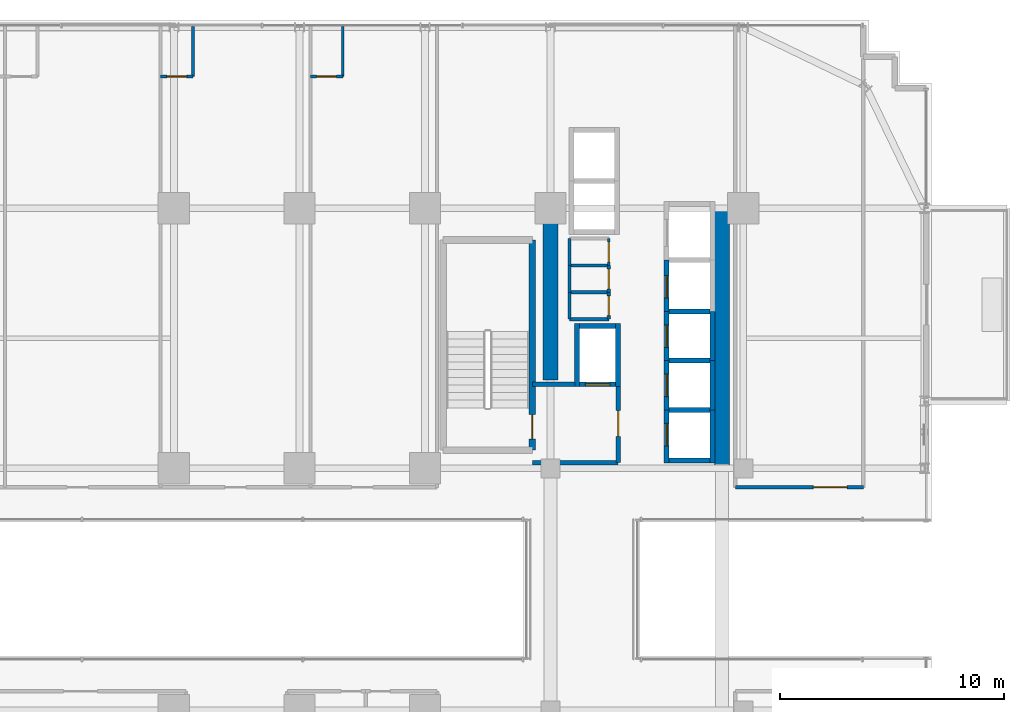
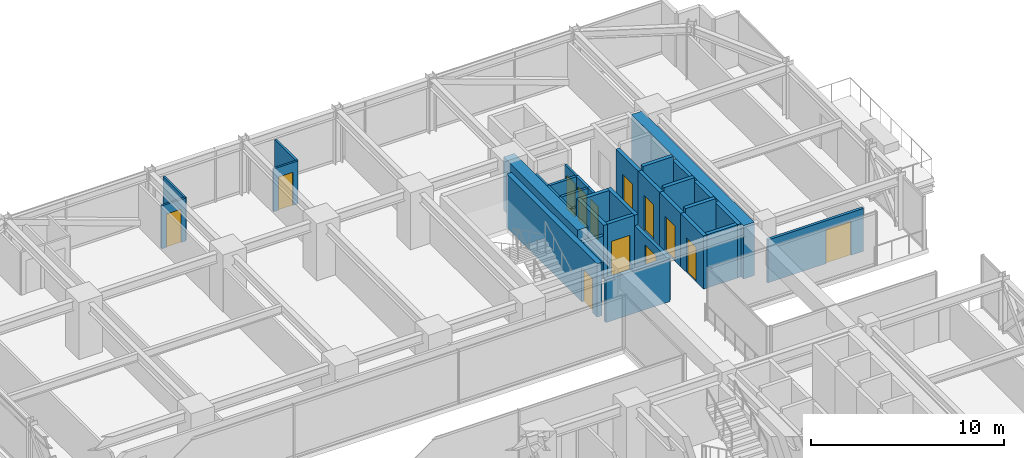
# One storey, part 31 of 35: 35 walls, 13 doors, 13 openings.
"""IFC4 building model written with IfcOpenShell, lengths in metres."""

from ifc_helpers import new_model, si_unit, direction, frame, frame_2d, origin, place, context, subcontext, project, spatial, rectangle, extrude, source, transform, mapped, material, layer, layer_set, type_object, element, fill, save


model = new_model("IFC4")

# Units and contexts
model_context = context("Model", 3, precision=1e-05, world=origin(), true_north=direction((0.0, 1.0)))
body_context = subcontext(model_context, "Body", "Model", "MODEL_VIEW")
ifc_project = project(units=[si_unit("LENGTHUNIT", "METRE"), si_unit("AREAUNIT", "SQUARE_METRE"), si_unit("VOLUMEUNIT", "CUBIC_METRE"), si_unit("PLANEANGLEUNIT", "RADIAN"), si_unit("MASSUNIT", "GRAM", prefix="KILO")], contexts=[model_context])

# Site, building, storey
site_placement = place(None, origin())
site = spatial("IfcSite", under=ifc_project, at=site_placement, CompositionType="ELEMENT")
building_placement = place(site_placement, origin())
building = spatial("IfcBuilding", under=site, at=building_placement, Name="Nahalor Promenade Grand Hotel", CompositionType="ELEMENT")
storey_placement = place(building_placement, frame((0.0, 0.0, 43.35009765625)))
storey = spatial("IfcBuildingStorey", under=building, at=storey_placement, Name="L09", CompositionType="ELEMENT", Elevation=43.35009765625)

# Walls
ifc_material_1 = material(Name="Concrete B-60 (C50/60)", Category="concrete")
ifc_layer_1 = layer(ifc_material_1, 0.64990234375)
ifc_layer_set_1 = layer_set([ifc_layer_1], Name="Concrete B-60 (C50/60)")
wall_type_1 = type_object("IfcWallType", Name="Wall-CoreShear-650", PredefinedType="SHEAR", material=ifc_layer_set_1)
shared_shape_1 = source(origin(), body_context, "Body", "SweptSolid", [
    extrude(rectangle(XDim=7.64990234375, YDim=0.64990234375, at=frame_2d((3.824951171875, 0.0))), origin(), (0.0, 0.0, 1.0), 3.369873046875),
])
wall_1_placement = place(storey_placement, frame((8.39990234375, 9.35009765625, 0.0), z_axis=(0.0, 0.0, 1.0), x_axis=(0.0, 1.0, 0.0)))
element("IfcWall", 1, at=wall_1_placement, inside=storey, type_object=wall_type_1, Name="CWALL-L09-NW", PredefinedType="SHEAR", context=body_context, shape_type="MappedRepresentation", body=[
    mapped(shared_shape_1, transform((0.0, 0.0, 0.0), scale=1.0)),
])
shared_shape_2 = source(origin(), body_context, "Body", "SweptSolid", [
    extrude(rectangle(XDim=11.60009765625, YDim=0.64990234375, at=frame_2d((5.800048828125, 0.0))), origin(), (0.0, 0.0, 1.0), 3.369873046875),
])
wall_2_placement = place(storey_placement, frame((16.050048828125, 5.39990234375, 0.0), z_axis=(0.0, 0.0, 1.0), x_axis=(0.0, 1.0, 0.0)))
element("IfcWall", 2, at=wall_2_placement, inside=storey, type_object=wall_type_1, Name="CWALL-L09-NE", PredefinedType="SHEAR", context=body_context, shape_type="MappedRepresentation", body=[
    mapped(shared_shape_2, transform((0.0, 0.0, 0.0), scale=1.0)),
])

# Wall, opening, door
ifc_material_2 = material(Name="Concrete B-50 (C40/50)", Category="concrete")
ifc_layer_2 = layer(ifc_material_2, 0.300048828125)
ifc_layer_set_2 = layer_set([ifc_layer_2], Name="Concrete B-50 (C40/50)")
wall_type_2 = type_object("IfcWallType", Name="Wall-ShaftShear-300", PredefinedType="SHEAR", material=ifc_layer_set_2)
shared_shape_3 = source(origin(), body_context, "Body", "SweptSolid", [
    extrude(rectangle(XDim=9.380126953125, YDim=0.300048828125, at=frame_2d((4.68994140625, 0.0))), origin(), (0.0, 0.0, 1.0), 3.369873046875),
])
wall_3_placement = place(storey_placement, frame((7.590087890625, 6.2099609375, 0.0), z_axis=(0.0, 0.0, 1.0), x_axis=(0.0, 1.0, 0.0)))
wall_3 = element("IfcWall", 3, at=wall_3_placement, inside=storey, type_object=wall_type_2, Name="L09 Exit Stair ST1 Shaft Wall E", PredefinedType="SHEAR", context=body_context, shape_type="MappedRepresentation", body=[
    mapped(shared_shape_3, transform((0.0, 0.0, 0.0), scale=1.0)),
])
opening_1_placement = place(wall_3_placement, frame((0.489990234375, 0.0, 0.0)))
opening_1 = element("IfcOpeningElement", 4, at=opening_1_placement, cuts=wall_3, Name="Opening D-ST1", PredefinedType="OPENING", context=body_context, shape_type="SweptSolid", body=[
    extrude(rectangle(XDim=1.10009765625, YDim=2.14990234375, at=frame_2d((0.550048828125, 1.074951171875))), frame((0.0, 0.159912109375, 0.0), z_axis=(0.0, -1.0, 0.0), x_axis=(1.0, 0.0, 0.0)), (0.0, 0.0, 1.0), 0.320068359375),
])
ifc_material_3 = material(Name="Steel S355JR", Category="steel")
door_type_1 = type_object("IfcDoorType", Name="Door-StairFire-1100", OperationType="NOTDEFINED", PredefinedType="DOOR", material=ifc_material_3)
shared_shape_4 = source(origin(), body_context, "Body", "SweptSolid", [
    extrude(rectangle(XDim=1.10009765625, YDim=2.14990234375, at=frame_2d((0.550048828125, 1.074951171875))), frame((0.0, 0.02490234375, 0.0), z_axis=(0.0, -1.0, 0.0), x_axis=(1.0, 0.0, 0.0)), (0.0, 0.0, 1.0), 0.050048828125),
])
door_1_placement = place(opening_1_placement, origin())
door_1 = element("IfcDoor", 5, at=door_1_placement, inside=storey, type_object=door_type_1, Name="DR-STAIR-ST1-L09", OperationType="SINGLE_SWING_RIGHT", OverallHeight=2.14990234375, OverallWidth=1.10009765625, PredefinedType="DOOR", context=body_context, shape_type="MappedRepresentation", body=[
    mapped(shared_shape_4, transform((0.0, 0.0, 0.0), scale=1.0)),
])
fill(opening_1, door_1)

ifc_layer_3 = layer(ifc_material_2, 0.219970703125)
ifc_layer_set_3 = layer_set([ifc_layer_3], Name="Concrete B-50 (C40/50)")
wall_type_3 = type_object("IfcWallType", Name="Wall-LiftShaft-220", PredefinedType="SHEAR", material=ifc_layer_set_3)
shared_shape_5 = source(origin(), body_context, "Body", "SweptSolid", [
    extrude(rectangle(XDim=2.360107421875, YDim=0.219970703125, at=frame_2d((1.18017578125, 0.0))), origin(), (0.0, 0.0, 1.0), 3.369873046875),
])
wall_4_placement = place(storey_placement, frame((13.580078125, 5.639892578125, 0.0), z_axis=(0.0, 0.0, 1.0), x_axis=(0.0, 1.0, 0.0)))
wall_4 = element("IfcWall", 6, at=wall_4_placement, inside=storey, type_object=wall_type_3, Name="L09 Lift PL1 Hoistway Wall W", PredefinedType="SHEAR", context=body_context, shape_type="MappedRepresentation", body=[
    mapped(shared_shape_5, transform((0.0, 0.0, 0.0), scale=1.0)),
])
opening_2_placement = place(wall_4_placement, frame((0.760009765625, 0.0, 0.0)))
opening_2 = element("IfcOpeningElement", 7, at=opening_2_placement, cuts=wall_4, Name="Opening LD-01", PredefinedType="OPENING", context=body_context, shape_type="SweptSolid", body=[
    extrude(rectangle(XDim=1.0, YDim=2.199951171875, at=frame_2d((0.5, 1.10009765625))), frame((0.0, 0.119873046875, 0.0), z_axis=(0.0, -1.0, 0.0), x_axis=(1.0, 0.0, 0.0)), (0.0, 0.0, 1.0), 0.239990234375),
])
door_type_2 = type_object("IfcDoorType", Name="Door-LiftLanding-1000", OperationType="DOUBLE_DOOR_SLIDING", PredefinedType="DOOR", material=ifc_material_3)
shared_shape_6 = source(origin(), body_context, "Body", "SweptSolid", [
    extrude(rectangle(XDim=1.0, YDim=2.199951171875, at=frame_2d((0.5, 1.10009765625))), frame((0.0, 0.02490234375, 0.0), z_axis=(0.0, -1.0, 0.0), x_axis=(1.0, 0.0, 0.0)), (0.0, 0.0, 1.0), 0.050048828125),
])
door_2_placement = place(opening_2_placement, origin())
door_2 = element("IfcDoor", 8, at=door_2_placement, inside=storey, type_object=door_type_2, Name="DR-LIFT-PL1-L09", OperationType="DOUBLE_DOOR_SLIDING", OverallHeight=2.199951171875, OverallWidth=1.0, PredefinedType="DOOR", context=body_context, shape_type="MappedRepresentation", body=[
    mapped(shared_shape_6, transform((0.0, 0.0, 0.0), scale=1.0)),
])
fill(opening_2, door_2)

# Walls
wall_5_placement = place(storey_placement, frame((15.6201171875, 5.639892578125, 0.0), z_axis=(0.0, 0.0, 1.0), x_axis=(0.0, 1.0, 0.0)))
element("IfcWall", 9, at=wall_5_placement, inside=storey, type_object=wall_type_3, Name="L09 Lift PL1 Hoistway Wall E", PredefinedType="SHEAR", context=body_context, shape_type="MappedRepresentation", body=[
    mapped(shared_shape_5, transform((0.0, 0.0, 0.0), scale=1.0)),
])
shared_shape_7 = source(origin(), body_context, "Body", "SweptSolid", [
    extrude(rectangle(XDim=1.820068359375, YDim=0.219970703125, at=frame_2d((0.91015625, 0.0))), origin(), (0.0, 0.0, 1.0), 3.369873046875),
])
wall_6_placement = place(storey_placement, frame((13.68994140625, 5.75, 0.0), z_axis=(0.0, 0.0, 1.0), x_axis=(1.0, 0.0, 0.0)))
element("IfcWall", 10, at=wall_6_placement, inside=storey, type_object=wall_type_3, Name="L09 Lift PL1 Hoistway Wall S", PredefinedType="SHEAR", context=body_context, shape_type="MappedRepresentation", body=[
    mapped(shared_shape_7, transform((0.0, 0.0, 0.0), scale=1.0)),
])
shared_shape_8 = source(origin(), body_context, "Body", "SweptSolid", [
    extrude(rectangle(XDim=1.820068359375, YDim=0.219970703125, at=frame_2d((0.91015625, 0.0))), origin(), (0.0, 0.0, 1.0), 3.64990234375),
])
for number, where, z_axis, x_axis, name in (
    (11, (13.68994140625, 8.0, 0.0), (0.0, 0.0, 1.0), (1.0, 0.0, 0.0), "L09 Lift PL1 Hoistway Wall N"),
    (12, (13.68994140625, 10.199951171875, 0.0), (0.0, 0.0, 1.0), (1.0, 0.0, 0.0), "L09 Lift PL2 Hoistway Wall N"),
    (13, (13.68994140625, 12.39990234375, 0.0), (0.0, 0.0, 1.0), (1.0, 0.0, 0.0), "L09 Lift PL3 Hoistway Wall N"),
):
    element("IfcWall", number, at=place(storey_placement, frame(where, z_axis=z_axis, x_axis=x_axis)), inside=storey, type_object=wall_type_3, Name=name, PredefinedType="SHEAR", context=body_context, shape_type="MappedRepresentation", body=[
        mapped(shared_shape_8, transform((0.0, 0.0, 0.0), scale=1.0)),
    ])

# Wall, opening, door
shared_shape_9 = source(origin(), body_context, "Body", "SweptSolid", [
    extrude(rectangle(XDim=2.199951171875, YDim=0.219970703125, at=frame_2d((1.10009765625, 0.0))), origin(), (0.0, 0.0, 1.0), 3.369873046875),
])
wall_7_placement = place(storey_placement, frame((13.580078125, 8.0, 0.0), z_axis=(0.0, 0.0, 1.0), x_axis=(0.0, 1.0, 0.0)))
wall_7 = element("IfcWall", 14, at=wall_7_placement, inside=storey, type_object=wall_type_3, Name="L09 Lift PL2 Hoistway Wall W", PredefinedType="SHEAR", context=body_context, shape_type="MappedRepresentation", body=[
    mapped(shared_shape_9, transform((0.0, 0.0, 0.0), scale=1.0)),
])
opening_3_placement = place(wall_7_placement, frame((0.60009765625, 0.0, 0.0)))
opening_3 = element("IfcOpeningElement", 15, at=opening_3_placement, cuts=wall_7, Name="Opening LD-01", PredefinedType="OPENING", context=body_context, shape_type="SweptSolid", body=[
    extrude(rectangle(XDim=1.0, YDim=2.199951171875, at=frame_2d((0.5, 1.10009765625))), frame((0.0, 0.119873046875, 0.0), z_axis=(0.0, -1.0, 0.0), x_axis=(1.0, 0.0, 0.0)), (0.0, 0.0, 1.0), 0.239990234375),
])
door_3_placement = place(opening_3_placement, origin())
door_3 = element("IfcDoor", 16, at=door_3_placement, inside=storey, type_object=door_type_2, Name="DR-LIFT-PL2-L09", OperationType="DOUBLE_DOOR_SLIDING", OverallHeight=2.199951171875, OverallWidth=1.0, PredefinedType="DOOR", context=body_context, shape_type="MappedRepresentation", body=[
    mapped(shared_shape_6, transform((0.0, 0.0, 0.0), scale=1.0)),
])
fill(opening_3, door_3)

# Wall
wall_8_placement = place(storey_placement, frame((15.6201171875, 8.0, 0.0), z_axis=(0.0, 0.0, 1.0), x_axis=(0.0, 1.0, 0.0)))
element("IfcWall", 17, at=wall_8_placement, inside=storey, type_object=wall_type_3, Name="L09 Lift PL2 Hoistway Wall E", PredefinedType="SHEAR", context=body_context, shape_type="MappedRepresentation", body=[
    mapped(shared_shape_9, transform((0.0, 0.0, 0.0), scale=1.0)),
])

# Wall, opening, door
wall_9_placement = place(storey_placement, frame((13.580078125, 10.199951171875, 0.0), z_axis=(0.0, 0.0, 1.0), x_axis=(0.0, 1.0, 0.0)))
wall_9 = element("IfcWall", 18, at=wall_9_placement, inside=storey, type_object=wall_type_3, Name="L09 Lift PL3 Hoistway Wall W", PredefinedType="SHEAR", context=body_context, shape_type="MappedRepresentation", body=[
    mapped(shared_shape_9, transform((0.0, 0.0, 0.0), scale=1.0)),
])
opening_4_placement = place(wall_9_placement, frame((0.60009765625, 0.0, 0.0)))
opening_4 = element("IfcOpeningElement", 19, at=opening_4_placement, cuts=wall_9, Name="Opening LD-01", PredefinedType="OPENING", context=body_context, shape_type="SweptSolid", body=[
    extrude(rectangle(XDim=1.0, YDim=2.199951171875, at=frame_2d((0.5, 1.10009765625))), frame((0.0, 0.119873046875, 0.0), z_axis=(0.0, -1.0, 0.0), x_axis=(1.0, 0.0, 0.0)), (0.0, 0.0, 1.0), 0.239990234375),
])
door_4_placement = place(opening_4_placement, origin())
door_4 = element("IfcDoor", 20, at=door_4_placement, inside=storey, type_object=door_type_2, Name="DR-LIFT-PL3-L09", OperationType="DOUBLE_DOOR_SLIDING", OverallHeight=2.199951171875, OverallWidth=1.0, PredefinedType="DOOR", context=body_context, shape_type="MappedRepresentation", body=[
    mapped(shared_shape_6, transform((0.0, 0.0, 0.0), scale=1.0)),
])
fill(opening_4, door_4)

# Wall
wall_10_placement = place(storey_placement, frame((15.6201171875, 10.199951171875, 0.0), z_axis=(0.0, 0.0, 1.0), x_axis=(0.0, 1.0, 0.0)))
element("IfcWall", 21, at=wall_10_placement, inside=storey, type_object=wall_type_3, Name="L09 Lift PL3 Hoistway Wall E", PredefinedType="SHEAR", context=body_context, shape_type="MappedRepresentation", body=[
    mapped(shared_shape_9, transform((0.0, 0.0, 0.0), scale=1.0)),
])

# Wall, opening, door
shared_shape_10 = source(origin(), body_context, "Body", "SweptSolid", [
    extrude(rectangle(XDim=2.300048828125, YDim=0.219970703125, at=frame_2d((1.14990234375, 0.0))), origin(), (0.0, 0.0, 1.0), 3.369873046875),
])
wall_11_placement = place(storey_placement, frame((13.580078125, 12.39990234375, 0.0), z_axis=(0.0, 0.0, 1.0), x_axis=(0.0, 1.0, 0.0)))
wall_11 = element("IfcWall", 22, at=wall_11_placement, inside=storey, type_object=wall_type_3, Name="L09 Lift PL4 Hoistway Wall W", PredefinedType="SHEAR", context=body_context, shape_type="MappedRepresentation", body=[
    mapped(shared_shape_10, transform((0.0, 0.0, 0.0), scale=1.0)),
])
opening_5_placement = place(wall_11_placement, frame((0.60009765625, 0.0, 0.0)))
opening_5 = element("IfcOpeningElement", 23, at=opening_5_placement, cuts=wall_11, Name="Opening LD-01", PredefinedType="OPENING", context=body_context, shape_type="SweptSolid", body=[
    extrude(rectangle(XDim=1.0, YDim=2.199951171875, at=frame_2d((0.5, 1.10009765625))), frame((0.0, 0.119873046875, 0.0), z_axis=(0.0, -1.0, 0.0), x_axis=(1.0, 0.0, 0.0)), (0.0, 0.0, 1.0), 0.239990234375),
])
door_5_placement = place(opening_5_placement, origin())
door_5 = element("IfcDoor", 24, at=door_5_placement, inside=storey, type_object=door_type_2, Name="DR-LIFT-PL4-L09", OperationType="DOUBLE_DOOR_SLIDING", OverallHeight=2.199951171875, OverallWidth=1.0, PredefinedType="DOOR", context=body_context, shape_type="MappedRepresentation", body=[
    mapped(shared_shape_6, transform((0.0, 0.0, 0.0), scale=1.0)),
])
fill(opening_5, door_5)

# Walls
shared_shape_11 = source(origin(), body_context, "Body", "SweptSolid", [
    extrude(rectangle(XDim=2.820068359375, YDim=0.219970703125, at=frame_2d((1.41015625, 0.0))), origin(), (0.0, 0.0, 1.0), 3.369873046875),
])
for number, where, z_axis, x_axis, name in (
    (25, (9.580078125, 9.0400390625, 0.0), (0.0, 0.0, 1.0), (0.0, 1.0, 0.0), "L09 Lift FL1 Hoistway Wall W"),
    (26, (11.419921875, 9.0400390625, 0.0), (0.0, 0.0, 1.0), (0.0, 1.0, 0.0), "L09 Lift FL1 Hoistway Wall E"),
):
    element("IfcWall", number, at=place(storey_placement, frame(where, z_axis=z_axis, x_axis=x_axis)), inside=storey, type_object=wall_type_3, Name=name, PredefinedType="SHEAR", context=body_context, shape_type="MappedRepresentation", body=[
        mapped(shared_shape_11, transform((0.0, 0.0, 0.0), scale=1.0)),
    ])

# Wall, opening, door
shared_shape_12 = source(origin(), body_context, "Body", "SweptSolid", [
    extrude(rectangle(XDim=1.6201171875, YDim=0.219970703125, at=frame_2d((0.81005859375, 0.0))), origin(), (0.0, 0.0, 1.0), 3.369873046875),
])
wall_12_placement = place(storey_placement, frame((9.68994140625, 9.14990234375, 0.0), z_axis=(0.0, 0.0, 1.0), x_axis=(1.0, 0.0, 0.0)))
wall_12 = element("IfcWall", 27, at=wall_12_placement, inside=storey, type_object=wall_type_3, Name="L09 Lift FL1 Hoistway Wall S", PredefinedType="SHEAR", context=body_context, shape_type="MappedRepresentation", body=[
    mapped(shared_shape_12, transform((0.0, 0.0, 0.0), scale=1.0)),
])
opening_6_placement = place(wall_12_placement, frame((0.260009765625, 0.0, 0.0)))
opening_6 = element("IfcOpeningElement", 28, at=opening_6_placement, cuts=wall_12, Name="Opening LD-02", PredefinedType="OPENING", context=body_context, shape_type="SweptSolid", body=[
    extrude(rectangle(XDim=1.10009765625, YDim=2.199951171875, at=frame_2d((0.550048828125, 1.10009765625))), frame((0.0, 0.119873046875, 0.0), z_axis=(0.0, -1.0, 0.0), x_axis=(1.0, 0.0, 0.0)), (0.0, 0.0, 1.0), 0.239990234375),
])
door_type_3 = type_object("IfcDoorType", Name="Door-LiftFF-1100", OperationType="DOUBLE_DOOR_SLIDING", PredefinedType="DOOR", material=ifc_material_3)
shared_shape_13 = source(origin(), body_context, "Body", "SweptSolid", [
    extrude(rectangle(XDim=1.10009765625, YDim=2.199951171875, at=frame_2d((0.550048828125, 1.10009765625))), frame((0.0, 0.02490234375, 0.0), z_axis=(0.0, -1.0, 0.0), x_axis=(1.0, 0.0, 0.0)), (0.0, 0.0, 1.0), 0.050048828125),
])
door_6_placement = place(opening_6_placement, frame((1.10009765625, 0.0, 0.0), z_axis=(0.0, 0.0, 1.0), x_axis=(-1.0, 0.0, 0.0)))
door_6 = element("IfcDoor", 29, at=door_6_placement, inside=storey, type_object=door_type_3, Name="DR-LIFT-FL1-L09", OperationType="DOUBLE_DOOR_SLIDING", OverallHeight=2.199951171875, OverallWidth=1.10009765625, PredefinedType="DOOR", context=body_context, shape_type="MappedRepresentation", body=[
    mapped(shared_shape_13, transform((0.0, 0.0, 0.0), scale=1.0)),
])
fill(opening_6, door_6)

# Walls
wall_13_placement = place(storey_placement, frame((9.68994140625, 11.75, 0.0), z_axis=(0.0, 0.0, 1.0), x_axis=(1.0, 0.0, 0.0)))
element("IfcWall", 30, at=wall_13_placement, inside=storey, type_object=wall_type_3, Name="L09 Lift FL1 Hoistway Wall N", PredefinedType="SHEAR", context=body_context, shape_type="MappedRepresentation", body=[
    mapped(shared_shape_12, transform((0.0, 0.0, 0.0), scale=1.0)),
])
ifc_material_4 = material(Name="Concrete B-40 (C32/40)", Category="concrete")
ifc_layer_4 = layer(ifc_material_4, 0.199951171875)
ifc_layer_set_4 = layer_set([ifc_layer_4], Name="Concrete B-40 (C32/40)")
wall_type_4 = type_object("IfcWallType", Name="Wall-PartFire-200", PredefinedType="PARTITIONING", material=ifc_layer_set_4)
shared_shape_14 = source(origin(), body_context, "Body", "SweptSolid", [
    extrude(rectangle(XDim=3.81982421875, YDim=0.199951171875, at=frame_2d((1.909912109375, 0.0))), origin(), (0.0, 0.0, 1.0), 2.7099609375),
])
wall_14_placement = place(storey_placement, frame((7.60009765625, 5.64990234375, 0.0), z_axis=(0.0, 0.0, 1.0), x_axis=(1.0, 0.0, 0.0)))
element("IfcWall", 31, at=wall_14_placement, inside=storey, type_object=wall_type_4, Name="W-L09-FF1-S", PredefinedType="PARTITIONING", context=body_context, shape_type="MappedRepresentation", body=[
    mapped(shared_shape_14, transform((0.0, 0.0, 0.0), scale=1.0)),
])
shared_shape_15 = source(origin(), body_context, "Body", "SweptSolid", [
    extrude(rectangle(XDim=1.89990234375, YDim=0.199951171875, at=frame_2d((0.949951171875, 0.0))), origin(), (0.0, 0.0, 1.0), 2.7099609375),
])
wall_15_placement = place(storey_placement, frame((7.60009765625, 9.14990234375, 0.0), z_axis=(0.0, 0.0, 1.0), x_axis=(1.0, 0.0, 0.0)))
element("IfcWall", 32, at=wall_15_placement, inside=storey, type_object=wall_type_4, Name="W-L09-FF1-N", PredefinedType="PARTITIONING", context=body_context, shape_type="MappedRepresentation", body=[
    mapped(shared_shape_15, transform((0.0, 0.0, 0.0), scale=1.0)),
])

# Wall, opening, door
shared_shape_16 = source(origin(), body_context, "Body", "SweptSolid", [
    extrude(rectangle(XDim=3.5, YDim=0.199951171875, at=frame_2d((1.75, 0.0))), origin(), (0.0, 0.0, 1.0), 2.7099609375),
])
wall_16_placement = place(storey_placement, frame((11.419921875, 5.64990234375, 0.0), z_axis=(0.0, 0.0, 1.0), x_axis=(0.0, 1.0, 0.0)))
wall_16 = element("IfcWall", 33, at=wall_16_placement, inside=storey, type_object=wall_type_4, Name="W-L09-FF1-E", PredefinedType="PARTITIONING", context=body_context, shape_type="MappedRepresentation", body=[
    mapped(shared_shape_16, transform((0.0, 0.0, 0.0), scale=1.0)),
])
opening_7_placement = place(wall_16_placement, frame((1.175048828125, 0.0, 0.0)))
opening_7 = element("IfcOpeningElement", 34, at=opening_7_placement, cuts=wall_16, Name="Opening D-FF1", PredefinedType="OPENING", context=body_context, shape_type="SweptSolid", body=[
    extrude(rectangle(XDim=1.14990234375, YDim=2.14990234375, at=frame_2d((0.574951171875, 1.074951171875))), frame((0.0, 0.10986328125, 0.0), z_axis=(0.0, -1.0, 0.0), x_axis=(1.0, 0.0, 0.0)), (0.0, 0.0, 1.0), 0.219970703125),
])
door_type_4 = type_object("IfcDoorType", Name="Door-FFLobby-1150", OperationType="NOTDEFINED", PredefinedType="DOOR", material=ifc_material_3)
shared_shape_17 = source(origin(), body_context, "Body", "SweptSolid", [
    extrude(rectangle(XDim=1.14990234375, YDim=2.14990234375, at=frame_2d((0.574951171875, 1.074951171875))), frame((0.0, 0.02490234375, 0.0), z_axis=(0.0, -1.0, 0.0), x_axis=(1.0, 0.0, 0.0)), (0.0, 0.0, 1.0), 0.050048828125),
])
door_7_placement = place(opening_7_placement, frame((1.14990234375, 0.0, 0.0), z_axis=(0.0, 0.0, 1.0), x_axis=(-1.0, 0.0, 0.0)))
door_7 = element("IfcDoor", 35, at=door_7_placement, inside=storey, type_object=door_type_4, Name="DR-L09-FFL1", OperationType="SINGLE_SWING_RIGHT", OverallHeight=2.14990234375, OverallWidth=1.14990234375, PredefinedType="DOOR", context=body_context, shape_type="MappedRepresentation", body=[
    mapped(shared_shape_17, transform((0.0, 0.0, 0.0), scale=1.0)),
])
fill(opening_7, door_7)

# Walls
ifc_material_5 = material(Name="Acoustic Mineral Gypsum", Category="gypsum")
ifc_layer_5 = layer(ifc_material_5, 0.14990234375)
ifc_layer_set_5 = layer_set([ifc_layer_5], Name="Acoustic Mineral Gypsum")
wall_type_5 = type_object("IfcWallType", Name="Wall-PartService-150", PredefinedType="PARTITIONING", material=ifc_layer_set_5)
shared_shape_18 = source(origin(), body_context, "Body", "SweptSolid", [
    extrude(rectangle(XDim=1.75, YDim=0.14990234375, at=frame_2d((0.875, 0.0))), origin(), (0.0, 0.0, 1.0), 2.7099609375),
])
for number, where, z_axis, x_axis, name in (
    (36, (9.25, 12.050048828125, 0.0), (0.0, 0.0, 1.0), (1.0, 0.0, 0.0), "W-L09-CK3A-S"),
    (37, (9.25, 13.25, 0.0), (0.0, 0.0, 1.0), (1.0, 0.0, 0.0), "W-L09-CK3A-N"),
    (38, (9.25, 14.449951171875, 0.0), (0.0, 0.0, 1.0), (1.0, 0.0, 0.0), "W-L09-CK3B-N"),
):
    element("IfcWall", number, at=place(storey_placement, frame(where, z_axis=z_axis, x_axis=x_axis)), inside=storey, type_object=wall_type_5, Name=name, PredefinedType="PARTITIONING", context=body_context, shape_type="MappedRepresentation", body=[
        mapped(shared_shape_18, transform((0.0, 0.0, 0.0), scale=1.0)),
    ])

# Wall, opening, door
ifc_layer_6 = layer(ifc_material_5, 0.159912109375)
ifc_layer_set_6 = layer_set([ifc_layer_6], Name="Acoustic Mineral Gypsum")
wall_type_6 = type_object("IfcWallType", Name="Wall-PartCorridor-160", PredefinedType="PARTITIONING", material=ifc_layer_set_6)
shared_shape_19 = source(origin(), body_context, "Body", "SweptSolid", [
    extrude(rectangle(XDim=5.710205078125, YDim=0.159912109375, at=frame_2d((2.85498046875, 0.0))), origin(), (0.0, 0.0, 1.0), 2.7099609375),
])
wall_17_placement = place(storey_placement, frame((16.64990234375, 4.550048828125, 0.0), z_axis=(0.0, 0.0, 1.0), x_axis=(1.0, 0.0, 0.0)))
wall_17 = element("IfcWall", 39, at=wall_17_placement, inside=storey, type_object=wall_type_6, Name="W-L09-ENE-S", PredefinedType="PARTITIONING", context=body_context, shape_type="MappedRepresentation", body=[
    mapped(shared_shape_19, transform((0.0, 0.0, 0.0), scale=1.0)),
])
opening_8_placement = place(wall_17_placement, frame((3.47900390625, 0.0, 0.0)))
opening_8 = element("IfcOpeningElement", 40, at=opening_8_placement, cuts=wall_17, Name="Opening D-02", PredefinedType="OPENING", context=body_context, shape_type="SweptSolid", body=[
    extrude(rectangle(XDim=1.5, YDim=2.14990234375, at=frame_2d((0.75, 1.074951171875))), frame((0.0, 0.08984375, 0.0), z_axis=(0.0, -1.0, 0.0), x_axis=(1.0, 0.0, 0.0)), (0.0, 0.0, 1.0), 0.179931640625),
])
ifc_material_6 = material(Name="Fire-Rated Timber Composite", Category="wood")
door_type_5 = type_object("IfcDoorType", Name="Door-SuiteDouble-1500", OperationType="DOUBLE_DOOR_SINGLE_SWING", PredefinedType="DOOR", material=ifc_material_6)
shared_shape_20 = source(origin(), body_context, "Body", "SweptSolid", [
    extrude(rectangle(XDim=1.5, YDim=2.14990234375, at=frame_2d((0.75, 1.074951171875))), frame((0.0, 0.02490234375, 0.0), z_axis=(0.0, -1.0, 0.0), x_axis=(1.0, 0.0, 0.0)), (0.0, 0.0, 1.0), 0.050048828125),
])
door_8_placement = place(opening_8_placement, origin())
door_8 = element("IfcDoor", 41, at=door_8_placement, inside=storey, type_object=door_type_5, Name="DR-L09-ENE", OperationType="DOUBLE_DOOR_SINGLE_SWING", OverallHeight=2.14990234375, OverallWidth=1.5, PredefinedType="DOOR", context=body_context, shape_type="MappedRepresentation", body=[
    mapped(shared_shape_20, transform((0.0, 0.0, 0.0), scale=1.0)),
])
fill(opening_8, door_8)

ifc_layer_7 = layer(ifc_material_5, 0.1201171875)
ifc_layer_set_7 = layer_set([ifc_layer_7], Name="Acoustic Mineral Gypsum")
wall_type_7 = type_object("IfcWallType", Name="Wall-PartBath-120", PredefinedType="PARTITIONING", material=ifc_layer_set_7)
shared_shape_21 = source(origin(), body_context, "Body", "SweptSolid", [
    extrude(rectangle(XDim=1.4501953125, YDim=0.1201171875, at=frame_2d((0.72509765625, 0.0))), origin(), (0.0, 0.0, 1.0), 2.7099609375),
])
wall_18_placement = place(storey_placement, frame((-8.99609375, 22.8798828125, 0.0), z_axis=(0.0, 0.0, 1.0), x_axis=(1.0, 0.0, 0.0)))
wall_18 = element("IfcWall", 42, at=wall_18_placement, inside=storey, type_object=wall_type_7, Name="W-L09-N3-BH", PredefinedType="PARTITIONING", context=body_context, shape_type="MappedRepresentation", body=[
    mapped(shared_shape_21, transform((0.0, 0.0, 0.0), scale=1.0)),
])
opening_9_placement = place(wall_18_placement, frame((0.284912109375, 0.0, 0.0)))
opening_9 = element("IfcOpeningElement", 43, at=opening_9_placement, cuts=wall_18, Name="Opening D-03", PredefinedType="OPENING", context=body_context, shape_type="SweptSolid", body=[
    extrude(rectangle(XDim=0.8798828125, YDim=2.10009765625, at=frame_2d((0.43994140625, 1.050048828125))), frame((0.0, 0.070068359375, 0.0), z_axis=(0.0, -1.0, 0.0), x_axis=(1.0, 0.0, 0.0)), (0.0, 0.0, 1.0), 0.14013671875),
])
door_type_6 = type_object("IfcDoorType", Name="Door-BathSwing-880", OperationType="NOTDEFINED", PredefinedType="DOOR", material=ifc_material_6)
shared_shape_22 = source(origin(), body_context, "Body", "SweptSolid", [
    extrude(rectangle(XDim=0.8798828125, YDim=2.10009765625, at=frame_2d((0.43994140625, 1.050048828125))), frame((0.0, 0.02490234375, 0.0), z_axis=(0.0, -1.0, 0.0), x_axis=(1.0, 0.0, 0.0)), (0.0, 0.0, 1.0), 0.050048828125),
])
door_9_placement = place(opening_9_placement, origin())
door_9 = element("IfcDoor", 44, at=door_9_placement, inside=storey, type_object=door_type_6, Name="DR-L09-N3-BATH", OperationType="SINGLE_SWING_LEFT", OverallHeight=2.10009765625, OverallWidth=0.8798828125, PredefinedType="DOOR", context=body_context, shape_type="MappedRepresentation", body=[
    mapped(shared_shape_22, transform((0.0, 0.0, 0.0), scale=1.0)),
])
fill(opening_9, door_9)

# Walls
shared_shape_23 = source(origin(), body_context, "Body", "SweptSolid", [
    extrude(rectangle(XDim=2.22021484375, YDim=0.1201171875, at=frame_2d((1.110107421875, 0.0))), origin(), (0.0, 0.0, 1.0), 2.7099609375),
])
for number, where, z_axis, x_axis, name in (
    (45, (-7.5458984375, 22.8798828125, 0.0), (0.0, 0.0, 1.0), (0.0, 1.0, 0.0), "W-L09-N3-BV"),
    (46, (-0.864013671875, 22.8798828125, 0.0), (0.0, 0.0, 1.0), (0.0, 1.0, 0.0), "W-L09-N4-BV"),
):
    element("IfcWall", number, at=place(storey_placement, frame(where, z_axis=z_axis, x_axis=x_axis)), inside=storey, type_object=wall_type_7, Name=name, PredefinedType="PARTITIONING", context=body_context, shape_type="MappedRepresentation", body=[
        mapped(shared_shape_23, transform((0.0, 0.0, 0.0), scale=1.0)),
    ])

# Wall, opening, door
shared_shape_24 = source(origin(), body_context, "Body", "SweptSolid", [
    extrude(rectangle(XDim=1.449951171875, YDim=0.1201171875, at=frame_2d((0.72509765625, 0.0))), origin(), (0.0, 0.0, 1.0), 2.7099609375),
])
wall_19_placement = place(storey_placement, frame((-2.31396484375, 22.8798828125, 0.0), z_axis=(0.0, 0.0, 1.0), x_axis=(1.0, 0.0, 0.0)))
wall_19 = element("IfcWall", 47, at=wall_19_placement, inside=storey, type_object=wall_type_7, Name="W-L09-N4-BH", PredefinedType="PARTITIONING", context=body_context, shape_type="MappedRepresentation", body=[
    mapped(shared_shape_24, transform((0.0, 0.0, 0.0), scale=1.0)),
])
opening_10_placement = place(wall_19_placement, frame((0.284912109375, 0.0, 0.0)))
opening_10 = element("IfcOpeningElement", 48, at=opening_10_placement, cuts=wall_19, Name="Opening D-03", PredefinedType="OPENING", context=body_context, shape_type="SweptSolid", body=[
    extrude(rectangle(XDim=0.8798828125, YDim=2.10009765625, at=frame_2d((0.43994140625, 1.050048828125))), frame((0.0, 0.070068359375, 0.0), z_axis=(0.0, -1.0, 0.0), x_axis=(1.0, 0.0, 0.0)), (0.0, 0.0, 1.0), 0.14013671875),
])
door_10_placement = place(opening_10_placement, origin())
door_10 = element("IfcDoor", 49, at=door_10_placement, inside=storey, type_object=door_type_6, Name="DR-L09-N4-BATH", OperationType="SINGLE_SWING_LEFT", OverallHeight=2.10009765625, OverallWidth=0.8798828125, PredefinedType="DOOR", context=body_context, shape_type="MappedRepresentation", body=[
    mapped(shared_shape_22, transform((0.0, 0.0, 0.0), scale=1.0)),
])
fill(opening_10, door_10)

# Wall
shared_shape_25 = source(origin(), body_context, "Body", "SweptSolid", [
    extrude(rectangle(XDim=1.199951171875, YDim=0.14990234375, at=frame_2d((0.60009765625, 0.0))), origin(), (0.0, 0.0, 1.0), 2.7099609375),
])
wall_20_placement = place(storey_placement, frame((9.25, 12.050048828125, 0.0), z_axis=(0.0, 0.0, 1.0), x_axis=(0.0, 1.0, 0.0)))
element("IfcWall", 50, at=wall_20_placement, inside=storey, type_object=wall_type_5, Name="W-L09-CK3A-W", PredefinedType="PARTITIONING", context=body_context, shape_type="MappedRepresentation", body=[
    mapped(shared_shape_25, transform((0.0, 0.0, 0.0), scale=1.0)),
])

# Wall, opening, door
wall_21_placement = place(storey_placement, frame((11.0, 12.050048828125, 0.0), z_axis=(0.0, 0.0, 1.0), x_axis=(0.0, 1.0, 0.0)))
wall_21 = element("IfcWall", 51, at=wall_21_placement, inside=storey, type_object=wall_type_5, Name="W-L09-CK3A-E", PredefinedType="PARTITIONING", context=body_context, shape_type="MappedRepresentation", body=[
    mapped(shared_shape_25, transform((0.0, 0.0, 0.0), scale=1.0)),
])
opening_11_placement = place(wall_21_placement, frame((0.159912109375, 0.0, 0.0)))
opening_11 = element("IfcOpeningElement", 52, at=opening_11_placement, cuts=wall_21, Name="Opening D-03", PredefinedType="OPENING", context=body_context, shape_type="SweptSolid", body=[
    extrude(rectangle(XDim=0.8798828125, YDim=2.10009765625, at=frame_2d((0.43994140625, 1.050048828125))), frame((0.0, 0.0849609375, 0.0), z_axis=(0.0, -1.0, 0.0), x_axis=(1.0, 0.0, 0.0)), (0.0, 0.0, 1.0), 0.169921875),
])
door_11_placement = place(opening_11_placement, origin())
door_11 = element("IfcDoor", 53, at=door_11_placement, inside=storey, type_object=door_type_6, Name="DR-L09-CK3A", OperationType="SINGLE_SWING_RIGHT", OverallHeight=2.10009765625, OverallWidth=0.8798828125, PredefinedType="DOOR", context=body_context, shape_type="MappedRepresentation", body=[
    mapped(shared_shape_22, transform((0.0, 0.0, 0.0), scale=1.0)),
])
fill(opening_11, door_11)

# Wall
wall_22_placement = place(storey_placement, frame((9.25, 13.25, 0.0), z_axis=(0.0, 0.0, 1.0), x_axis=(0.0, 1.0, 0.0)))
element("IfcWall", 54, at=wall_22_placement, inside=storey, type_object=wall_type_5, Name="W-L09-CK3B-W", PredefinedType="PARTITIONING", context=body_context, shape_type="MappedRepresentation", body=[
    mapped(shared_shape_25, transform((0.0, 0.0, 0.0), scale=1.0)),
])

# Wall, opening, door
wall_23_placement = place(storey_placement, frame((11.0, 13.25, 0.0), z_axis=(0.0, 0.0, 1.0), x_axis=(0.0, 1.0, 0.0)))
wall_23 = element("IfcWall", 55, at=wall_23_placement, inside=storey, type_object=wall_type_5, Name="W-L09-CK3B-E", PredefinedType="PARTITIONING", context=body_context, shape_type="MappedRepresentation", body=[
    mapped(shared_shape_25, transform((0.0, 0.0, 0.0), scale=1.0)),
])
opening_12_placement = place(wall_23_placement, frame((0.159912109375, 0.0, 0.0)))
opening_12 = element("IfcOpeningElement", 56, at=opening_12_placement, cuts=wall_23, Name="Opening D-03", PredefinedType="OPENING", context=body_context, shape_type="SweptSolid", body=[
    extrude(rectangle(XDim=0.8798828125, YDim=2.10009765625, at=frame_2d((0.43994140625, 1.050048828125))), frame((0.0, 0.0849609375, 0.0), z_axis=(0.0, -1.0, 0.0), x_axis=(1.0, 0.0, 0.0)), (0.0, 0.0, 1.0), 0.169921875),
])
door_12_placement = place(opening_12_placement, origin())
door_12 = element("IfcDoor", 57, at=door_12_placement, inside=storey, type_object=door_type_6, Name="DR-L09-CK3B", OperationType="SINGLE_SWING_LEFT", OverallHeight=2.10009765625, OverallWidth=0.8798828125, PredefinedType="DOOR", context=body_context, shape_type="MappedRepresentation", body=[
    mapped(shared_shape_22, transform((0.0, 0.0, 0.0), scale=1.0)),
])
fill(opening_12, door_12)

# Wall
shared_shape_26 = source(origin(), body_context, "Body", "SweptSolid", [
    extrude(rectangle(XDim=1.199951171875, YDim=0.1201171875, at=frame_2d((0.60009765625, 0.0))), origin(), (0.0, 0.0, 1.0), 2.7099609375),
])
wall_24_placement = place(storey_placement, frame((9.25, 14.449951171875, 0.0), z_axis=(0.0, 0.0, 1.0), x_axis=(0.0, 1.0, 0.0)))
element("IfcWall", 58, at=wall_24_placement, inside=storey, type_object=wall_type_7, Name="W-L09-CK3C-W", PredefinedType="PARTITIONING", context=body_context, shape_type="MappedRepresentation", body=[
    mapped(shared_shape_26, transform((0.0, 0.0, 0.0), scale=1.0)),
])

# Wall, opening, door
wall_25_placement = place(storey_placement, frame((11.0, 14.449951171875, 0.0), z_axis=(0.0, 0.0, 1.0), x_axis=(0.0, 1.0, 0.0)))
wall_25 = element("IfcWall", 59, at=wall_25_placement, inside=storey, type_object=wall_type_7, Name="W-L09-CK3C-E", PredefinedType="PARTITIONING", context=body_context, shape_type="MappedRepresentation", body=[
    mapped(shared_shape_26, transform((0.0, 0.0, 0.0), scale=1.0)),
])
opening_13_placement = place(wall_25_placement, frame((0.159912109375, 0.0, 0.0)))
opening_13 = element("IfcOpeningElement", 60, at=opening_13_placement, cuts=wall_25, Name="Opening D-03", PredefinedType="OPENING", context=body_context, shape_type="SweptSolid", body=[
    extrude(rectangle(XDim=0.8798828125, YDim=2.10009765625, at=frame_2d((0.43994140625, 1.050048828125))), frame((0.0, 0.070068359375, 0.0), z_axis=(0.0, -1.0, 0.0), x_axis=(1.0, 0.0, 0.0)), (0.0, 0.0, 1.0), 0.14013671875),
])
door_13_placement = place(opening_13_placement, origin())
door_13 = element("IfcDoor", 61, at=door_13_placement, inside=storey, type_object=door_type_6, Name="DR-L09-CK3C", OperationType="SINGLE_SWING_RIGHT", OverallHeight=2.10009765625, OverallWidth=0.8798828125, PredefinedType="DOOR", context=body_context, shape_type="MappedRepresentation", body=[
    mapped(shared_shape_22, transform((0.0, 0.0, 0.0), scale=1.0)),
])
fill(opening_13, door_13)

save(model, "model.ifc")
